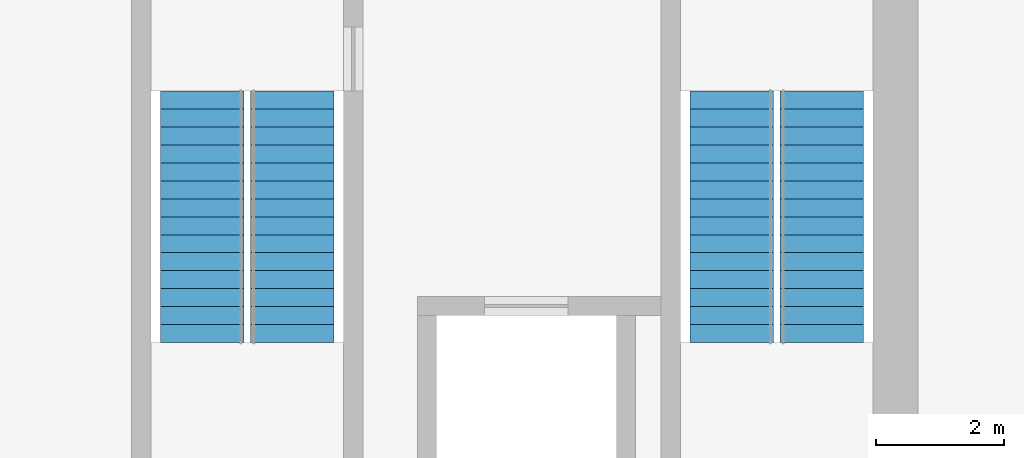
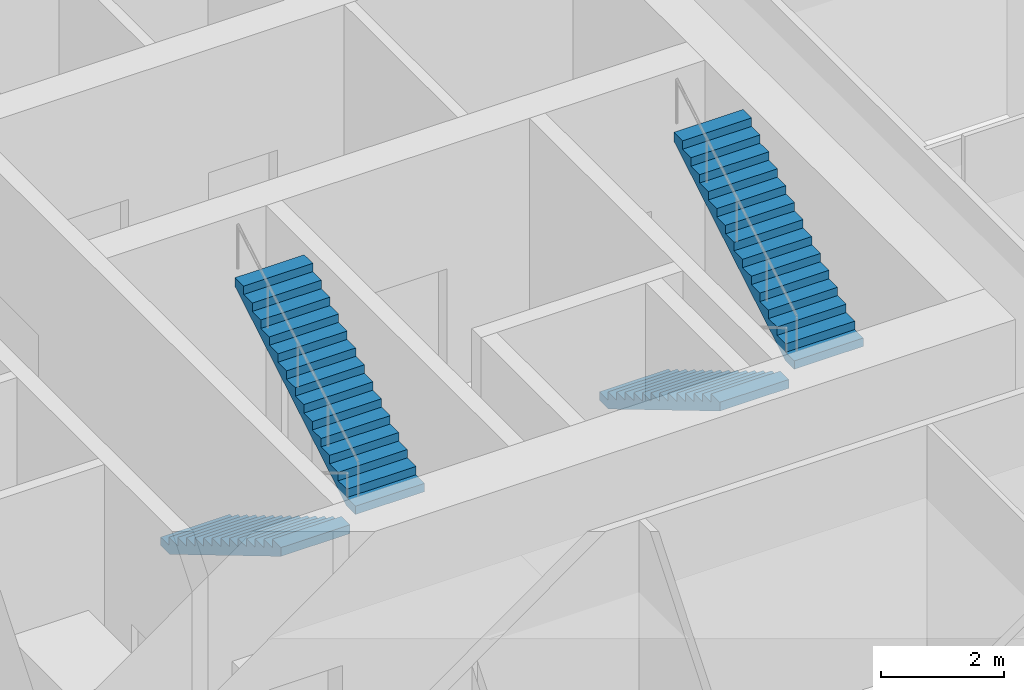
# One storey, part 14 of 16: 4 stair flights, 2 elements without a shape of their own.
"""IFC4 building model written with IfcOpenShell, lengths in metres."""

from ifc_helpers import new_model, si_unit, direction, frame, origin, place, context, subcontext, project, spatial, polyline, outline, extrude, material, type_object, element, aggregate, save


model = new_model("IFC4")

# Units and contexts
model_context = context("Model", 3, precision=1e-05, world=origin(), true_north=direction((0.0, 1.0)))
body_context = subcontext(model_context, "Body", "Model", "MODEL_VIEW")
ifc_project = project(units=[si_unit("LENGTHUNIT", "METRE"), si_unit("AREAUNIT", "SQUARE_METRE"), si_unit("VOLUMEUNIT", "CUBIC_METRE"), si_unit("PLANEANGLEUNIT", "RADIAN"), si_unit("MASSUNIT", "GRAM", prefix="KILO")], contexts=[model_context])

# Site, building, storey
site_placement = place(None, origin())
site = spatial("IfcSite", under=ifc_project, at=site_placement, CompositionType="ELEMENT")
building_placement = place(site_placement, origin())
building = spatial("IfcBuilding", under=site, at=building_placement, Name="Rimbunsela Tower", CompositionType="ELEMENT")
storey_placement = place(building_placement, frame((0.0, 0.0, 76.39990234375)))
storey = spatial("IfcBuildingStorey", under=building, at=storey_placement, Name="L18", CompositionType="ELEMENT", Elevation=76.39990234375)

# Stair, stair flights
ifc_material_1 = material(Name="Concrete fc' 35 MPa", Category="concrete")
stair_type = type_object("IfcStairType", Name="Exit stair 30 risers", PredefinedType="HALF_TURN_STAIR", material=ifc_material_1)
stair_1_placement = place(storey_placement, origin())
stair_1 = element("IfcStair", 1, at=stair_1_placement, inside=storey, type_object=stair_type, Name="Exit stair A L18", PredefinedType="HALF_TURN_STAIR")
ifc_material_2 = material(Name="Concrete fc' 35 MPa", Category="concrete")
stair_flight_type = type_object("IfcStairFlightType", Name="Stair flight 15 risers 167", PredefinedType="STRAIGHT", material=ifc_material_2)
stair_flight_1_placement = place(storey_placement, frame((24.949951171875, 24.89990234375, 0.0), z_axis=(0.0, 0.0, 1.0), x_axis=(0.0, -1.0, 0.0)))
stair_flight_1 = element("IfcStairFlight", 2, at=stair_flight_1_placement, type_object=stair_flight_type, Name="ST-A flight 1", NumberOfRisers=15, NumberOfTreads=14, PredefinedType="STRAIGHT", RiserHeight=0.166666667, TreadLength=0.28, context=body_context, shape_type="SweptSolid", body=[
    extrude(outline(polyline([(0.0, 0.0), (0.0, 0.166748046875), (0.280029296875, 0.166748046875), (0.280029296875, 0.333251953125), (0.56005859375, 0.333251953125), (0.56005859375, 0.5), (0.840087890625, 0.5), (0.840087890625, 0.666748046875), (1.1201171875, 0.666748046875), (1.1201171875, 0.833251953125), (1.39990234375, 0.833251953125), (1.39990234375, 1.0), (1.679931640625, 1.0), (1.679931640625, 1.166748046875), (1.9599609375, 1.166748046875), (1.9599609375, 1.333251953125), (2.239990234375, 1.333251953125), (2.239990234375, 1.5), (2.52001953125, 1.5), (2.52001953125, 1.666748046875), (2.800048828125, 1.666748046875), (2.800048828125, 1.833251953125), (3.080078125, 1.833251953125), (3.080078125, 2.0), (3.360107421875, 2.0), (3.360107421875, 2.166748046875), (3.639892578125, 2.166748046875), (3.639892578125, 2.333251953125), (3.919921875, 2.333251953125), (3.919921875, 2.5), (3.919921875, 2.158935546875), (0.29296875, 0.0), (0.0, 0.0)])), frame((0.0, 0.64990234375, 0.0), z_axis=(0.0, -1.0, 0.0), x_axis=(1.0, 0.0, 0.0)), (0.0, 0.0, 1.0), 1.300048828125),
])
stair_flight_2_placement = place(storey_placement, frame((26.35009765625, 20.97998046875, 2.5), z_axis=(0.0, 0.0, 1.0), x_axis=(0.0, 1.0, 0.0)))
stair_flight_2 = element("IfcStairFlight", 3, at=stair_flight_2_placement, type_object=stair_flight_type, Name="ST-A flight 2", NumberOfRisers=15, NumberOfTreads=14, PredefinedType="STRAIGHT", RiserHeight=0.166666667, TreadLength=0.28, context=body_context, shape_type="SweptSolid", body=[
    extrude(outline(polyline([(0.0, 0.0), (0.0, 0.166748046875), (0.280029296875, 0.166748046875), (0.280029296875, 0.333251953125), (0.56005859375, 0.333251953125), (0.56005859375, 0.5), (0.840087890625, 0.5), (0.840087890625, 0.666748046875), (1.1201171875, 0.666748046875), (1.1201171875, 0.833251953125), (1.39990234375, 0.833251953125), (1.39990234375, 1.0), (1.679931640625, 1.0), (1.679931640625, 1.166748046875), (1.9599609375, 1.166748046875), (1.9599609375, 1.333251953125), (2.239990234375, 1.333251953125), (2.239990234375, 1.5), (2.52001953125, 1.5), (2.52001953125, 1.666748046875), (2.800048828125, 1.666748046875), (2.800048828125, 1.833251953125), (3.080078125, 1.833251953125), (3.080078125, 2.0), (3.360107421875, 2.0), (3.360107421875, 2.166748046875), (3.639892578125, 2.166748046875), (3.639892578125, 2.333251953125), (3.919921875, 2.333251953125), (3.919921875, 2.5), (3.919921875, 2.158935546875), (0.29296875, 0.0), (0.0, 0.0)])), frame((0.0, 0.64990234375, 0.0), z_axis=(0.0, -1.0, 0.0), x_axis=(1.0, 0.0, 0.0)), (0.0, 0.0, 1.0), 1.300048828125),
])
aggregate(stair_1, [stair_flight_1, stair_flight_2])

stair_2_placement = place(storey_placement, origin())
stair_2 = element("IfcStair", 4, at=stair_2_placement, inside=storey, type_object=stair_type, Name="Exit stair B L18", PredefinedType="HALF_TURN_STAIR")
stair_flight_3_placement = place(storey_placement, frame((33.199951171875, 24.89990234375, 0.0), z_axis=(0.0, 0.0, 1.0), x_axis=(0.0, -1.0, 0.0)))
stair_flight_3 = element("IfcStairFlight", 5, at=stair_flight_3_placement, type_object=stair_flight_type, Name="ST-B flight 1", NumberOfRisers=15, NumberOfTreads=14, PredefinedType="STRAIGHT", RiserHeight=0.166666667, TreadLength=0.28, context=body_context, shape_type="SweptSolid", body=[
    extrude(outline(polyline([(0.0, 0.0), (0.0, 0.166748046875), (0.280029296875, 0.166748046875), (0.280029296875, 0.333251953125), (0.56005859375, 0.333251953125), (0.56005859375, 0.5), (0.840087890625, 0.5), (0.840087890625, 0.666748046875), (1.1201171875, 0.666748046875), (1.1201171875, 0.833251953125), (1.39990234375, 0.833251953125), (1.39990234375, 1.0), (1.679931640625, 1.0), (1.679931640625, 1.166748046875), (1.9599609375, 1.166748046875), (1.9599609375, 1.333251953125), (2.239990234375, 1.333251953125), (2.239990234375, 1.5), (2.52001953125, 1.5), (2.52001953125, 1.666748046875), (2.800048828125, 1.666748046875), (2.800048828125, 1.833251953125), (3.080078125, 1.833251953125), (3.080078125, 2.0), (3.360107421875, 2.0), (3.360107421875, 2.166748046875), (3.639892578125, 2.166748046875), (3.639892578125, 2.333251953125), (3.919921875, 2.333251953125), (3.919921875, 2.5), (3.919921875, 2.158935546875), (0.29296875, 0.0), (0.0, 0.0)])), frame((0.0, 0.64990234375, 0.0), z_axis=(0.0, -1.0, 0.0), x_axis=(1.0, 0.0, 0.0)), (0.0, 0.0, 1.0), 1.300048828125),
])
stair_flight_4_placement = place(storey_placement, frame((34.60009765625, 20.97998046875, 2.5), z_axis=(0.0, 0.0, 1.0), x_axis=(0.0, 1.0, 0.0)))
stair_flight_4 = element("IfcStairFlight", 6, at=stair_flight_4_placement, type_object=stair_flight_type, Name="ST-B flight 2", NumberOfRisers=15, NumberOfTreads=14, PredefinedType="STRAIGHT", RiserHeight=0.166666667, TreadLength=0.28, context=body_context, shape_type="SweptSolid", body=[
    extrude(outline(polyline([(0.0, 0.0), (0.0, 0.166748046875), (0.280029296875, 0.166748046875), (0.280029296875, 0.333251953125), (0.56005859375, 0.333251953125), (0.56005859375, 0.5), (0.840087890625, 0.5), (0.840087890625, 0.666748046875), (1.1201171875, 0.666748046875), (1.1201171875, 0.833251953125), (1.39990234375, 0.833251953125), (1.39990234375, 1.0), (1.679931640625, 1.0), (1.679931640625, 1.166748046875), (1.9599609375, 1.166748046875), (1.9599609375, 1.333251953125), (2.239990234375, 1.333251953125), (2.239990234375, 1.5), (2.52001953125, 1.5), (2.52001953125, 1.666748046875), (2.800048828125, 1.666748046875), (2.800048828125, 1.833251953125), (3.080078125, 1.833251953125), (3.080078125, 2.0), (3.360107421875, 2.0), (3.360107421875, 2.166748046875), (3.639892578125, 2.166748046875), (3.639892578125, 2.333251953125), (3.919921875, 2.333251953125), (3.919921875, 2.5), (3.919921875, 2.158935546875), (0.29296875, 0.0), (0.0, 0.0)])), frame((0.0, 0.64990234375, 0.0), z_axis=(0.0, -1.0, 0.0), x_axis=(1.0, 0.0, 0.0)), (0.0, 0.0, 1.0), 1.300048828125),
])
aggregate(stair_2, [stair_flight_3, stair_flight_4])

save(model, "model.ifc")
